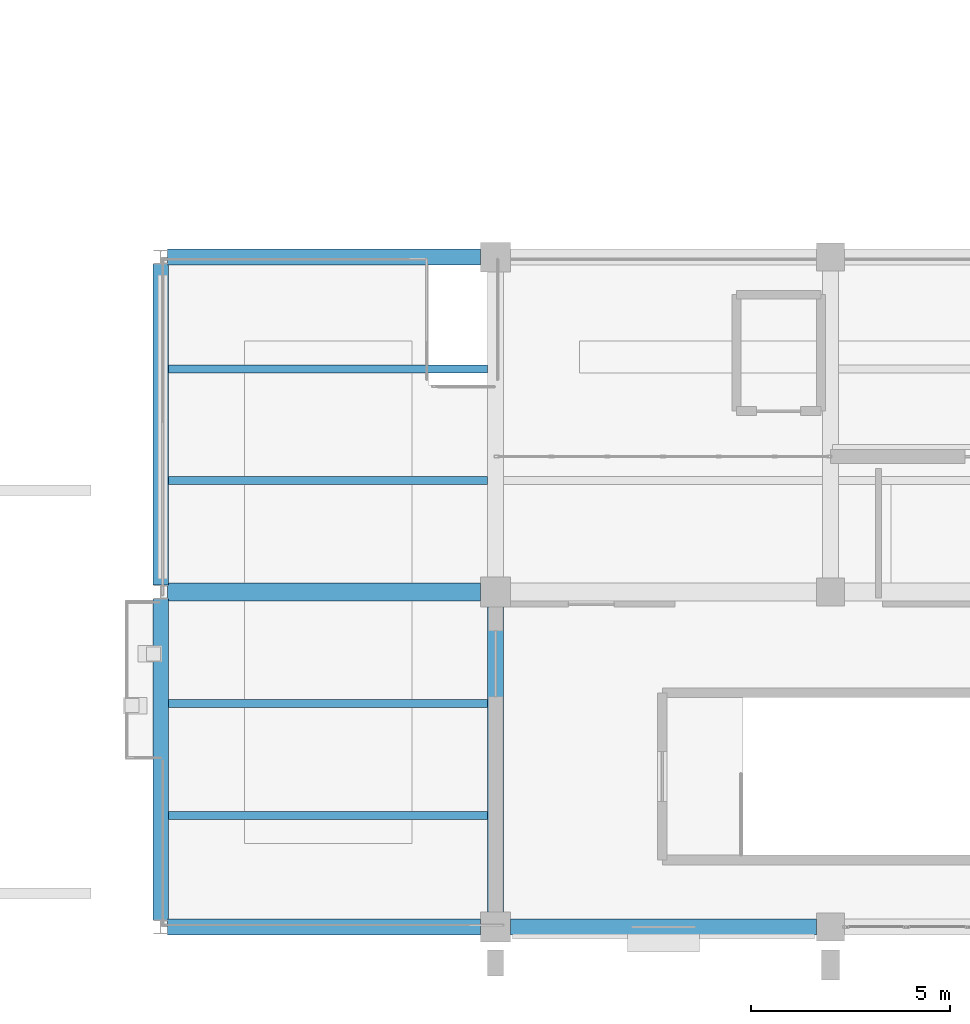
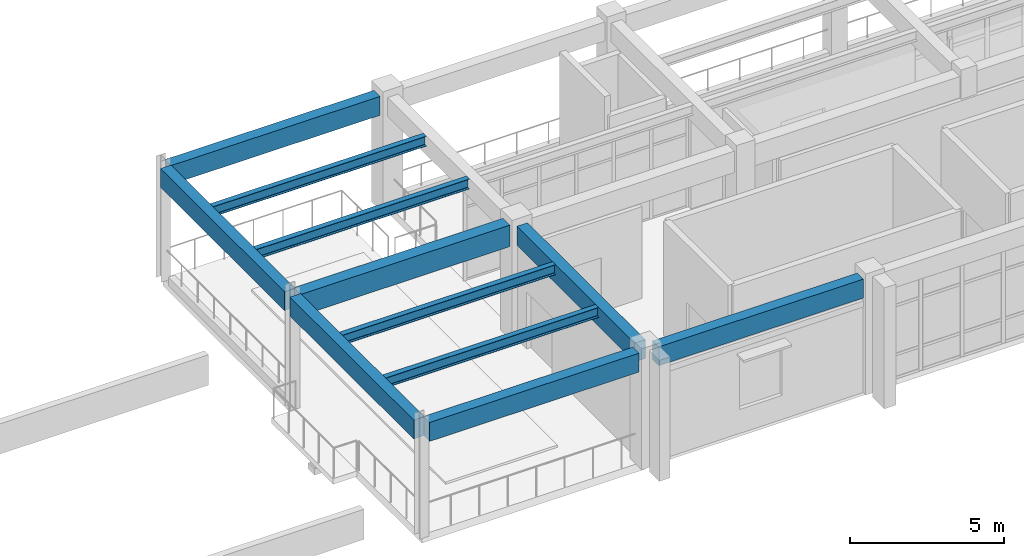
# One storey, part 7 of 98: 11 beams.
"""IFC4 building model written with IfcOpenShell, lengths in metres."""

from ifc_helpers import new_model, si_unit, direction, frame, origin, origin_2d, place, context, subcontext, project, spatial, rectangle, i_section, extrude, material, material_profile, profile_set, type_object, element, save


model = new_model("IFC4")

# Units and contexts
model_context = context("Model", 3, precision=1e-05, world=origin(), true_north=direction((0.0, 1.0)))
body_context = subcontext(model_context, "Body", "Model", "MODEL_VIEW")
ifc_project = project(units=[si_unit("LENGTHUNIT", "METRE"), si_unit("AREAUNIT", "SQUARE_METRE"), si_unit("VOLUMEUNIT", "CUBIC_METRE"), si_unit("PLANEANGLEUNIT", "RADIAN"), si_unit("MASSUNIT", "GRAM", prefix="KILO")], contexts=[model_context])

# Site, building, storey
site_placement = place(None, origin())
site = spatial("IfcSite", under=ifc_project, at=site_placement, CompositionType="ELEMENT")
building_placement = place(site_placement, origin())
building = spatial("IfcBuilding", under=site, at=building_placement, Name="Canglan Escarpment Cableway Terminal", CompositionType="ELEMENT")
storey_placement = place(building_placement, frame((0.0, 0.0, 9.60009765625)))
storey = spatial("IfcBuildingStorey", under=building, at=storey_placement, Name="L02", CompositionType="ELEMENT", Elevation=9.60009765625)

# Beams
ifc_material_1 = material(Name="Concrete C40", Category="concrete")
ifc_material_profile_1 = material_profile(ifc_material_1, rectangle(XDim=0.39990234375, YDim=0.75, at=origin_2d()), Name="RC 400x750")
ifc_profile_set_1 = profile_set([ifc_material_profile_1], Name="Concrete C40")
beam_type_1 = type_object("IfcBeamType", Name="BM-RC400x750", PredefinedType="BEAM", material=ifc_profile_set_1)
for number, where, z_axis, x_axis, name in (
    (1, (42.5, 8.175048828125, 4.14501953125), (0.0, 1.0, 0.0), (-1.0, 0.0, 0.0), "Primary transverse girder B-03"),
    (2, (42.5, 16.574951171875, 4.14501953125), (0.0, 1.0, 0.0), (-1.0, 0.0, 0.0), "Primary transverse girder B-03"),
):
    element("IfcBeam", number, at=place(storey_placement, frame(where, z_axis=z_axis, x_axis=x_axis)), inside=storey, type_object=beam_type_1, Name=name, PredefinedType="BEAM", context=body_context, shape_type="SweptSolid", body=[
        extrude(rectangle(XDim=0.39990234375, YDim=0.75, at=origin_2d()), origin(), (0.0, 0.0, 1.0), 8.050048828125),
    ])
beam_1_placement = place(storey_placement, frame((50.89990234375, 8.375, 4.135009765625), z_axis=(0.0, 1.0, 0.0), x_axis=(-1.0, 0.0, 0.0)))
element("IfcBeam", 3, at=beam_1_placement, inside=storey, type_object=beam_type_1, Name="Primary transverse girder B-03", PredefinedType="BEAM", context=body_context, shape_type="SweptSolid", body=[
    extrude(rectangle(XDim=0.39990234375, YDim=0.75, at=origin_2d()), origin(), (0.0, 0.0, 1.0), 7.64990234375),
])
ifc_material_profile_2 = material_profile(ifc_material_1, rectangle(XDim=0.449951171875, YDim=0.85009765625, at=origin_2d()), Name="RC 450x850")
ifc_profile_set_2 = profile_set([ifc_material_profile_2], Name="Concrete C40")
beam_type_2 = type_object("IfcBeamType", Name="BM-RC450x850", PredefinedType="BEAM", material=ifc_profile_set_2)
beam_2_placement = place(storey_placement, frame((42.675048828125, 16.39990234375, 4.094970703125), z_axis=(1.0, 0.0, 0.0), x_axis=(0.0, 1.0, 0.0)))
element("IfcBeam", 4, at=beam_2_placement, inside=storey, type_object=beam_type_2, Name="Primary structural girder B-02", PredefinedType="BEAM", context=body_context, shape_type="SweptSolid", body=[
    extrude(rectangle(XDim=0.449951171875, YDim=0.85009765625, at=origin_2d()), origin(), (0.0, 0.0, 1.0), 7.849853515625),
])
ifc_material_2 = material(Name="Steel Q355B", Category="steel")
ifc_material_profile_3 = material_profile(ifc_material_2, i_section(OverallWidth=0.199951171875, OverallDepth=0.39990234375, WebThickness=0.008056640625, FlangeThickness=0.012939453125, FilletRadius=0.01611328125, at=origin_2d()), Name="HN 400x200x8x13")
ifc_profile_set_3 = profile_set([ifc_material_profile_3], Name="Steel Q355B")
beam_type_3 = type_object("IfcBeamType", Name="JS-HN400", PredefinedType="JOIST", material=ifc_profile_set_3)
for number, where, z_axis, x_axis, name in (
    (5, (42.699951171875, 10.800048828125, 4.31982421875), (1.0, 0.0, 0.0), (0.0, 1.0, 0.0), "Secondary composite deck joist J-03"),
    (6, (42.699951171875, 13.60009765625, 4.31982421875), (1.0, 0.0, 0.0), (0.0, 1.0, 0.0), "Secondary composite deck joist J-03"),
    (7, (42.699951171875, 19.199951171875, 4.31982421875), (1.0, 0.0, 0.0), (0.0, 1.0, 0.0), "Secondary composite deck joist J-03"),
    (8, (42.699951171875, 22.0, 4.31982421875), (1.0, 0.0, 0.0), (0.0, 1.0, 0.0), "Secondary composite deck joist J-03"),
):
    element("IfcBeam", number, at=place(storey_placement, frame(where, z_axis=z_axis, x_axis=x_axis)), inside=storey, type_object=beam_type_3, Name=name, PredefinedType="JOIST", context=body_context, shape_type="SweptSolid", body=[
        extrude(i_section(OverallWidth=0.199951171875, OverallDepth=0.39990234375, WebThickness=0.008056640625, FlangeThickness=0.012939453125, FilletRadius=0.01611328125, at=origin_2d()), origin(), (0.0, 0.0, 1.0), 8.0),
    ])
ifc_material_profile_4 = material_profile(ifc_material_1, rectangle(XDim=0.39990234375, YDim=0.75, at=origin_2d()), Name="RC 400x750")
ifc_profile_set_4 = profile_set([ifc_material_profile_4], Name="Concrete C40")
beam_type_4 = type_object("IfcBeamType", Name="SP-RC400x750", PredefinedType="SPANDREL", material=ifc_profile_set_4)
beam_3_placement = place(storey_placement, frame((42.675048828125, 8.0, 4.14501953125), z_axis=(1.0, 0.0, 0.0), x_axis=(0.0, 1.0, 0.0)))
element("IfcBeam", 9, at=beam_3_placement, inside=storey, type_object=beam_type_4, Name="Primary structural girder SP-01", PredefinedType="SPANDREL", context=body_context, shape_type="SweptSolid", body=[
    extrude(rectangle(XDim=0.39990234375, YDim=0.75, at=origin_2d()), origin(), (0.0, 0.0, 1.0), 7.849853515625),
])
beam_4_placement = place(storey_placement, frame((51.27490234375, 8.0, 4.135009765625), z_axis=(1.0, 0.0, 0.0), x_axis=(0.0, 1.0, 0.0)))
element("IfcBeam", 10, at=beam_4_placement, inside=storey, type_object=beam_type_4, Name="Primary structural girder SP-01", PredefinedType="SPANDREL", context=body_context, shape_type="SweptSolid", body=[
    extrude(rectangle(XDim=0.39990234375, YDim=0.75, at=origin_2d()), origin(), (0.0, 0.0, 1.0), 7.675048828125),
])
beam_5_placement = place(storey_placement, frame((42.675048828125, 24.800048828125, 4.14501953125), z_axis=(1.0, 0.0, 0.0), x_axis=(0.0, 1.0, 0.0)))
element("IfcBeam", 11, at=beam_5_placement, inside=storey, type_object=beam_type_4, Name="Primary structural girder SP-01", PredefinedType="SPANDREL", context=body_context, shape_type="SweptSolid", body=[
    extrude(rectangle(XDim=0.39990234375, YDim=0.75, at=origin_2d()), origin(), (0.0, 0.0, 1.0), 7.849853515625),
])

save(model, "model.ifc")
